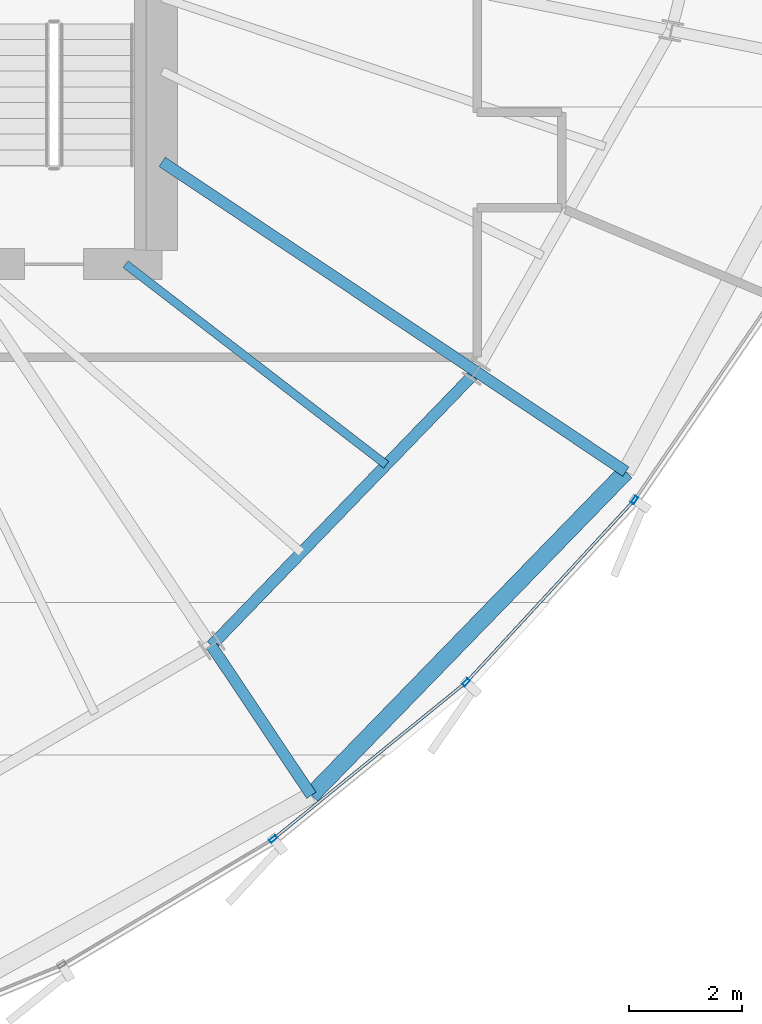
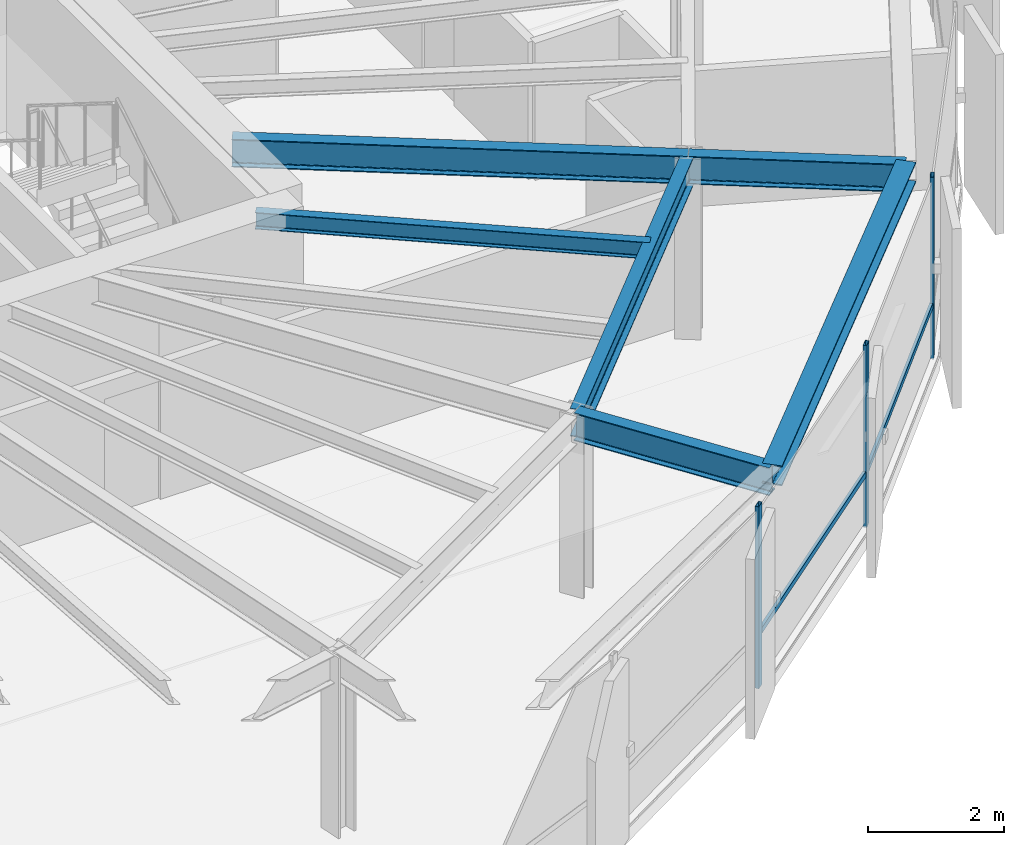
# One storey, part 12 of 34: 6 beams, 5 members, 1 element without a shape of its own.
"""IFC4 building model written with IfcOpenShell, lengths in metres."""

import ifcopenshell
import ifcopenshell.guid

model = None  # the IFC model being written
_history = None  # IfcOwnerHistory: only IFC2X3 demands one
_inside = {}  # id of a spatial element -> (the spatial element, [elements in it])
_under = {}  # id of a project, library or spatial element -> (it, [spatial elements below it])
_declared = {}  # id of a project -> (the project, [libraries it declares])
_typed = {}  # id of a type object -> (the type object, [elements of that type])
_made_of = {}  # id of a material, layer set ... -> (it, [elements and type objects made of it])


def new_model(schema):
    """Start an empty IFC model of exactly this schema.

    Asked for "IFC4X3", IfcOpenShell would pick the latest addendum, in which some entities
    have other attributes; the version numbers below select the first issue.
    IFC2X3 requires an IfcOwnerHistory on every rooted entity: one is made here for all.
    """
    global model, _history
    if schema == "IFC4X3":
        model = ifcopenshell.file(schema_version=(4, 3, 0, 0))
    else:
        model = ifcopenshell.file(schema=schema)
    _inside.clear()
    _under.clear()
    _declared.clear()
    _typed.clear()
    _made_of.clear()
    _history = None
    if model.schema == "IFC2X3":
        org = make("IfcOrganization", Name="unknown")
        user = make(
            "IfcPersonAndOrganization",
            ThePerson=make("IfcPerson", FamilyName="unknown"),
            TheOrganization=org,
        )
        app = make(
            "IfcApplication",
            ApplicationDeveloper=org,
            Version="unknown",
            ApplicationFullName="unknown",
            ApplicationIdentifier="unknown",
        )
        _history = make(
            "IfcOwnerHistory",
            OwningUser=user,
            OwningApplication=app,
            ChangeAction="ADDED",
            CreationDate=0,
        )
    return model


def make(cls, **values):
    """One entity of the class cls with the attributes given. An attribute that is None is left unset."""
    return model.create_entity(
        cls, **{name: value for name, value in values.items() if value is not None}
    )


def rooted(cls, **values):
    """An entity with a GlobalId (a new one), such as an element, a storey or a relation."""
    return make(cls, GlobalId=ifcopenshell.guid.new(), OwnerHistory=_history, **values)


def si_unit(unit_type, name, prefix=None):
    """IfcSIUnit, for example si_unit("LENGTHUNIT", "METRE", prefix="MILLI")."""
    return make("IfcSIUnit", UnitType=unit_type, Prefix=prefix, Name=name)


def assignment(units):
    """IfcUnitAssignment: the units of a project."""
    return None if units is None else make("IfcUnitAssignment", Units=units)


def point(xyz):
    """IfcCartesianPoint."""
    return None if xyz is None else make("IfcCartesianPoint", Coordinates=xyz)


def direction(xyz):
    """IfcDirection."""
    return None if xyz is None else make("IfcDirection", DirectionRatios=xyz)


def frame(location, z_axis=None, x_axis=None):
    """IfcAxis2Placement3D, a coordinate frame: its origin and axes. An axis left out is left unset."""
    return make(
        "IfcAxis2Placement3D",
        Location=point(location),
        Axis=direction(z_axis),
        RefDirection=direction(x_axis),
    )


def frame_2d(location, x_axis=None):
    """IfcAxis2Placement2D, a coordinate frame in the plane: its origin and x axis."""
    return make(
        "IfcAxis2Placement2D", Location=point(location), RefDirection=direction(x_axis)
    )


def origin():
    """The frame at (0, 0, 0) with its axes left unset."""
    return frame((0.0, 0.0, 0.0))


def origin_2d():
    """The frame at (0, 0) in the plane with its x axis left unset."""
    return frame_2d((0.0, 0.0))


def place(relative_to, where):
    """IfcLocalPlacement: puts the frame where relative to a parent placement (None: the world)."""
    return make(
        "IfcLocalPlacement", PlacementRelTo=relative_to, RelativePlacement=where
    )


def context(
    kind, dimensions, precision=None, world=None, true_north=None, identifier=None
):
    """IfcGeometricRepresentationContext, for example the 3D "Model" context."""
    return make(
        "IfcGeometricRepresentationContext",
        ContextIdentifier=identifier,
        ContextType=kind,
        CoordinateSpaceDimension=dimensions,
        Precision=precision,
        WorldCoordinateSystem=world,
        TrueNorth=true_north,
    )


def subcontext(parent, identifier, kind, view, scale=None):
    """IfcGeometricRepresentationSubContext, for example "Body" below "Model"."""
    return make(
        "IfcGeometricRepresentationSubContext",
        ContextIdentifier=identifier,
        ContextType=kind,
        ParentContext=parent,
        TargetScale=scale,
        TargetView=view,
    )


def project(units=None, contexts=None):
    """IfcProject with its units and contexts."""
    return rooted(
        "IfcProject",
        Name="project",
        RepresentationContexts=contexts,
        UnitsInContext=assignment(units),
    )


def spatial(cls, under=None, at=None, **own):
    """A site, building, storey or space (cls), placed at a placement, below another one or the project."""
    s = rooted(cls, ObjectPlacement=at, **own)
    if under is not None:
        _under.setdefault(under.id(), (under, []))[1].append(s)
    return s


def profile(cls, at=None, kind="AREA", **sizes):
    """A parametric profile (cls). Its sizes go by their IFC names, for example OverallWidth=200.0."""
    return make(cls, ProfileType=kind, Position=at, **sizes)


def hollow_rectangle(**sizes):
    """IfcRectangleHollowProfileDef."""
    return profile("IfcRectangleHollowProfileDef", **sizes)


def i_section(**sizes):
    """IfcIShapeProfileDef."""
    return profile("IfcIShapeProfileDef", **sizes)


def extrude(swept, where, along, depth):
    """IfcExtrudedAreaSolid: the profile swept, set in the frame where, extruded along a direction by depth."""
    return make(
        "IfcExtrudedAreaSolid",
        SweptArea=swept,
        Position=where,
        ExtrudedDirection=direction(along),
        Depth=depth,
    )


def shape(context_of_items, identifier, shape_type, items):
    """IfcShapeRepresentation: the items that make up one representation, for example the "Body"."""
    return make(
        "IfcShapeRepresentation",
        ContextOfItems=context_of_items,
        RepresentationIdentifier=identifier,
        RepresentationType=shape_type,
        Items=items,
    )


def source(mapping_origin, context_of_items, identifier, shape_type, items):
    """IfcRepresentationMap: a shape defined once, which mapped items show again and again."""
    return make(
        "IfcRepresentationMap",
        MappingOrigin=mapping_origin,
        MappedRepresentation=shape(context_of_items, identifier, shape_type, items),
    )


def transform(
    local_origin,
    x_axis=None,
    y_axis=None,
    z_axis=None,
    scale=None,
    scale2=None,
    scale3=None,
    uniform=True,
):
    """IfcCartesianTransformationOperator3D, or its non-uniform kind. x_axis, y_axis, z_axis: its Axis1, 2, 3."""
    if uniform:
        return make(
            "IfcCartesianTransformationOperator3D",
            Axis1=direction(x_axis),
            Axis2=direction(y_axis),
            LocalOrigin=point(local_origin),
            Scale=scale,
            Axis3=direction(z_axis),
        )
    return make(
        "IfcCartesianTransformationOperator3DnonUniform",
        Axis1=direction(x_axis),
        Axis2=direction(y_axis),
        LocalOrigin=point(local_origin),
        Scale=scale,
        Axis3=direction(z_axis),
        Scale2=scale2,
        Scale3=scale3,
    )


def mapped(mapping_source, mapping_target):
    """IfcMappedItem: shows the shape of a source again, moved by a transform."""
    return make(
        "IfcMappedItem", MappingSource=mapping_source, MappingTarget=mapping_target
    )


def material(Name=None, Category=None):
    """IfcMaterial."""
    return make("IfcMaterial", Name=Name, Category=Category)


def layer(
    of_material, thickness, ventilated=None, Name=None, Category=None, Priority=None
):
    """IfcMaterialLayer: one layer of a wall or slab, of a material (None: an air gap)."""
    return make(
        "IfcMaterialLayer",
        Material=of_material,
        LayerThickness=thickness,
        IsVentilated=ventilated,
        Name=Name,
        Category=Category,
        Priority=Priority,
    )


def layer_set(layers, Name=None):
    """IfcMaterialLayerSet."""
    return make("IfcMaterialLayerSet", MaterialLayers=layers, LayerSetName=Name)


def material_profile(
    of_material, cross_section, Name=None, Category=None, Priority=None
):
    """IfcMaterialProfile: a cross section and its material."""
    return make(
        "IfcMaterialProfile",
        Name=Name,
        Material=of_material,
        Profile=cross_section,
        Priority=Priority,
        Category=Category,
    )


def profile_set(profiles, Name=None, composite=None):
    """IfcMaterialProfileSet."""
    return make(
        "IfcMaterialProfileSet",
        Name=Name,
        MaterialProfiles=profiles,
        CompositeProfile=composite,
    )


def made_of(thing, what):
    """Note that an element or type object is made of a material, layer set ...; save() writes the relation."""
    if what is not None:
        _made_of.setdefault(what.id(), (what, []))[1].append(thing)
    return thing


def type_object(cls, material=None, **own):
    """A type object (cls), such as IfcWallType, which elements share."""
    return made_of(rooted(cls, **own), material)


def element(
    cls,
    number,
    at=None,
    inside=None,
    cuts=None,
    type_object=None,
    material=None,
    context=None,
    identifier="Body",
    shape_type=None,
    held_by="IfcProductDefinitionShape",
    body=None,
    shapes=None,
    **own,
):
    """One element of the class cls, such as IfcWall. Its Tag is "e" and its number.

    at: its placement. inside: the storey or other place that contains it. cuts: it is an
    opening in that element (IfcRelVoidsElement). A single representation is given by context,
    identifier, shape_type and body (its items); several are given by shapes. held_by: the class
    of the entity that holds the representations. save() writes the other relations.
    """
    e = rooted(cls, Tag="e%d" % number, ObjectPlacement=at, **own)
    if body is not None:
        shapes = [shape(context, identifier, shape_type, body)]
    if shapes is not None:
        e.Representation = make(held_by, Representations=shapes)
    if inside is not None:
        _inside.setdefault(inside.id(), (inside, []))[1].append(e)
    if cuts is not None:
        rooted(
            "IfcRelVoidsElement", RelatingBuildingElement=cuts, RelatedOpeningElement=e
        )
    if type_object is not None:
        _typed.setdefault(type_object.id(), (type_object, []))[1].append(e)
    return made_of(e, material)


def aggregate(whole, parts):
    """IfcRelAggregates: a whole, such as a stair, and the parts it consists of."""
    return rooted("IfcRelAggregates", RelatingObject=whole, RelatedObjects=parts)


def save(model, path):
    """Write the relations noted so far, then the file.

    IfcRelAggregates (storeys below a building ...), IfcRelContainedInSpatialStructure (elements
    in a storey), IfcRelDefinesByType, IfcRelAssociatesMaterial and IfcRelDeclares: one each for
    every whole, place, type object, material and project.
    """
    for whole, parts in _under.values():
        aggregate(whole, parts)
    for where, things in _inside.values():
        rooted(
            "IfcRelContainedInSpatialStructure",
            RelatedElements=things,
            RelatingStructure=where,
        )
    for kind, things in _typed.values():
        rooted("IfcRelDefinesByType", RelatedObjects=things, RelatingType=kind)
    for what, things in _made_of.values():
        rooted("IfcRelAssociatesMaterial", RelatedObjects=things, RelatingMaterial=what)
    for by, libraries in _declared.values():
        rooted("IfcRelDeclares", RelatingContext=by, RelatedDefinitions=libraries)
    model.write(path)


model = new_model("IFC4")

# Units and contexts
model_context = context("Model", 3, precision=1e-05, world=origin(), true_north=direction((0.0, 1.0)))
body_context = subcontext(model_context, "Body", "Model", "MODEL_VIEW")
ifc_project = project(units=[si_unit("LENGTHUNIT", "METRE"), si_unit("AREAUNIT", "SQUARE_METRE"), si_unit("VOLUMEUNIT", "CUBIC_METRE"), si_unit("PLANEANGLEUNIT", "RADIAN"), si_unit("MASSUNIT", "GRAM", prefix="KILO"), si_unit("THERMODYNAMICTEMPERATUREUNIT", "KELVIN")], contexts=[model_context])

# Site, building, storey
site_placement = place(None, origin())
site = spatial("IfcSite", under=ifc_project, at=site_placement, CompositionType="ELEMENT")
building_placement = place(site_placement, origin())
building = spatial("IfcBuilding", under=site, at=building_placement, Name="Kethvar Cultural Tower", CompositionType="ELEMENT")
storey_placement = place(building_placement, frame((0.0, 0.0, 207.89990234375)))
storey = spatial("IfcBuildingStorey", under=building, at=storey_placement, Name="L54", CompositionType="ELEMENT", Elevation=207.89990234375)

# Beams
ifc_material_1 = material(Name="Steel S355J2", Category="steel")
ifc_material_profile_1 = material_profile(ifc_material_1, i_section(OverallWidth=0.199951171875, OverallDepth=0.5, WebThickness=0.01025390625, FlangeThickness=0.01611328125, FilletRadius=0.02099609375, at=origin_2d()), Name="Steel S355J2 — IPE500")
ifc_profile_set_1 = profile_set([ifc_material_profile_1], Name="Steel S355J2 — IPE500")
beam_type_1 = type_object("IfcBeamType", Name="BM-IPE500", PredefinedType="BEAM", material=ifc_profile_set_1)
shared_shape_1 = source(origin(), body_context, "Body", "SweptSolid", [
    extrude(i_section(OverallWidth=0.199951171875, OverallDepth=0.5, WebThickness=0.01025390625, FlangeThickness=0.01611328125, FilletRadius=0.02099609375, at=origin_2d()), origin(), (0.0, 0.0, 1.0), 3.199951171875),
])
for number, where, z_axis, x_axis, name in (
    (1, (56.474609375, 13.32080078125, 3.008056640625), (0.555580212716, -0.831462943996, 0.0), (0.831462943996, 0.555580212716, 0.0), "L54 Perimeter Cantilever Beam RC-14"),
    (2, (61.1826171875, 18.18994140625, 3.008056640625), (0.831462943996, -0.555580212716, 0.0), (0.555580212716, 0.831462943996, 0.0), "L54 Perimeter Cantilever Beam RC-15"),
):
    element("IfcBeam", number, at=place(storey_placement, frame(where, z_axis=z_axis, x_axis=x_axis)), inside=storey, type_object=beam_type_1, Name=name, PredefinedType="BEAM", context=body_context, shape_type="MappedRepresentation", body=[
        mapped(shared_shape_1, transform((0.0, 0.0, 0.0), scale=1.0)),
    ])
shared_shape_2 = source(origin(), body_context, "Body", "SweptSolid", [
    extrude(i_section(OverallWidth=0.199951171875, OverallDepth=0.5, WebThickness=0.01025390625, FlangeThickness=0.01611328125, FilletRadius=0.02099609375, at=origin_2d()), origin(), (0.0, 0.0, 1.0), 6.7138671875),
])
beam_1_placement = place(storey_placement, frame((55.60009765625, 21.919921875, 3.008056640625), z_axis=(0.831479232731, -0.555555834762, 0.0), x_axis=(0.555555834762, 0.831479232731, 0.0)))
element("IfcBeam", 3, at=beam_1_placement, inside=storey, type_object=beam_type_1, Name="L54 Primary Radial Beam RB-15", PredefinedType="BEAM", context=body_context, shape_type="MappedRepresentation", body=[
    mapped(shared_shape_2, transform((0.0, 0.0, 0.0), scale=1.0)),
])
shared_shape_3 = source(origin(), body_context, "Body", "SweptSolid", [
    extrude(i_section(OverallWidth=0.199951171875, OverallDepth=0.5, WebThickness=0.01025390625, FlangeThickness=0.01611328125, FilletRadius=0.02099609375, at=origin_2d()), origin(), (0.0, 0.0, 1.0), 6.77294921875),
])
beam_2_placement = place(storey_placement, frame((56.474609375, 13.32080078125, 3.008056640625), z_axis=(0.695111533644, 0.718901909717, 0.0), x_axis=(-0.718901909717, 0.695111533644, 0.0)))
element("IfcBeam", 4, at=beam_2_placement, inside=storey, type_object=beam_type_1, Name="L54 Column Ring Tie Beam CR-14", PredefinedType="BEAM", context=body_context, shape_type="MappedRepresentation", body=[
    mapped(shared_shape_3, transform((0.0, 0.0, 0.0), scale=1.0)),
])
ifc_material_profile_2 = material_profile(ifc_material_1, i_section(OverallWidth=0.300048828125, OverallDepth=0.360107421875, WebThickness=0.012451171875, FlangeThickness=0.0224609375, FilletRadius=0.027099609375, at=origin_2d()), Name="Steel S355J2 — HEB360")
ifc_profile_set_2 = profile_set([ifc_material_profile_2], Name="Steel S355J2 — HEB360")
beam_type_2 = type_object("IfcBeamType", Name="BM-SP360", PredefinedType="SPANDREL", material=ifc_profile_set_2)
shared_shape_4 = source(origin(), body_context, "Body", "SweptSolid", [
    extrude(i_section(OverallWidth=0.300048828125, OverallDepth=0.360107421875, WebThickness=0.012451171875, FlangeThickness=0.0224609375, FilletRadius=0.027099609375, at=origin_2d()), origin(), (0.0, 0.0, 1.0), 8.021240234375),
])
beam_3_placement = place(storey_placement, frame((58.25244140625, 10.66015625, 3.078125), z_axis=(0.696991461782, 0.71707942531, 0.0), x_axis=(-0.71707942531, 0.696991461782, 0.0)))
element("IfcBeam", 5, at=beam_3_placement, inside=storey, type_object=beam_type_2, Name="L54 Perimeter Spandrel Beam SP-14", PredefinedType="SPANDREL", context=body_context, shape_type="MappedRepresentation", body=[
    mapped(shared_shape_4, transform((0.0, 0.0, 0.0), scale=1.0)),
])
ifc_material_profile_3 = material_profile(ifc_material_1, i_section(OverallWidth=0.14990234375, OverallDepth=0.300048828125, WebThickness=0.007080078125, FlangeThickness=0.0107421875, FilletRadius=0.014892578125, at=origin_2d()), Name="Steel S355J2 — IPE300")
ifc_profile_set_3 = profile_set([ifc_material_profile_3], Name="Steel S355J2 — IPE300")
beam_type_3 = type_object("IfcBeamType", Name="BM-J300", PredefinedType="JOIST", material=ifc_profile_set_3)
shared_shape_5 = source(origin(), body_context, "Body", "SweptSolid", [
    extrude(i_section(OverallWidth=0.14990234375, OverallDepth=0.300048828125, WebThickness=0.007080078125, FlangeThickness=0.0107421875, FilletRadius=0.014892578125, at=origin_2d()), origin(), (0.0, 0.0, 1.0), 5.84521484375),
])
beam_4_placement = place(storey_placement, frame((54.949951171875, 20.10009765625, 3.108154296875), z_axis=(0.792398798307, -0.610003397073, 0.0), x_axis=(0.610003397073, 0.792398798307, 0.0)))
element("IfcBeam", 6, at=beam_4_placement, inside=storey, type_object=beam_type_3, Name="L54 Composite Floor Joist J-14B", PredefinedType="JOIST", context=body_context, shape_type="MappedRepresentation", body=[
    mapped(shared_shape_5, transform((0.0, 0.0, 0.0), scale=1.0)),
])

# Curtain wall, members
ifc_material_2 = material(Name="Aluminium 6063-T6", Category="aluminium")
ifc_layer = layer(ifc_material_2, 0.179931640625, Name="Aluminium 6063-T6", Category="aluminium")
ifc_layer_set = layer_set([ifc_layer], Name="Aluminium 6063-T6 (180 mm)")
curtain_wall_type = type_object("IfcCurtainWallType", Name="CW-SYS-04-Z34", PredefinedType="NOTDEFINED", material=ifc_layer_set)
curtain_wall_placement = place(storey_placement, origin())
curtain_wall = element("IfcCurtainWall", 7, at=curtain_wall_placement, inside=storey, type_object=curtain_wall_type, Name="L54 Curtain Wall Run 05", PredefinedType="NOTDEFINED")
ifc_material_profile_4 = material_profile(ifc_material_2, hollow_rectangle(XDim=0.06005859375, YDim=0.139892578125, WallThickness=0.0048828125, at=origin_2d()), Name="Aluminium 6063-T6 — RHS140x60x5")
ifc_profile_set_4 = profile_set([ifc_material_profile_4], Name="Aluminium 6063-T6 — RHS140x60x5")
member_type_1 = type_object("IfcMemberType", Name="CW-SYS-04-Z34-MUL", PredefinedType="MULLION", material=ifc_profile_set_4)
shared_shape_6 = source(origin(), body_context, "Body", "SweptSolid", [
    extrude(hollow_rectangle(XDim=0.06005859375, YDim=0.139892578125, WallThickness=0.0048828125, at=origin_2d()), origin(), (0.0, 0.0, 1.0), 3.260009765625),
])
member_1_placement = place(storey_placement, frame((57.57421875, 9.882080078125, 0.0), z_axis=(0.0, 0.0, 1.0), x_axis=(-0.630635172872, 0.776079428111, 0.0)))
member_1 = element("IfcMember", 8, at=member_1_placement, type_object=member_type_1, Name="CW-L54-R05 Mullion 3", PredefinedType="MULLION", context=body_context, shape_type="MappedRepresentation", body=[
    mapped(shared_shape_6, transform((0.0, 0.0, 0.0), scale=1.0)),
])
member_2_placement = place(storey_placement, frame((61.00146484375, 12.66552734375, 0.0), z_axis=(0.0, 0.0, 1.0), x_axis=(-0.7349501025, 0.6781211889, 0.0)))
member_2 = element("IfcMember", 9, at=member_2_placement, type_object=member_type_1, Name="CW-L54-R05 Mullion 4", PredefinedType="MULLION", context=body_context, shape_type="MappedRepresentation", body=[
    mapped(shared_shape_6, transform((0.0, 0.0, 0.0), scale=1.0)),
])
member_3_placement = place(storey_placement, frame((63.99609375, 15.90966796875, 0.0), z_axis=(0.0, 0.0, 1.0), x_axis=(-0.82499515377, 0.5651398024, 0.0)))
member_3 = element("IfcMember", 10, at=member_3_placement, type_object=member_type_1, Name="CW-L54-R05 Mullion 5", PredefinedType="MULLION", context=body_context, shape_type="MappedRepresentation", body=[
    mapped(shared_shape_6, transform((0.0, 0.0, 0.0), scale=1.0)),
])
ifc_material_profile_5 = material_profile(ifc_material_2, hollow_rectangle(XDim=0.050048828125, YDim=0.10009765625, WallThickness=0.00390625, at=origin_2d()), Name="Aluminium 6063-T6 — RHS100x50x4")
ifc_profile_set_5 = profile_set([ifc_material_profile_5], Name="Aluminium 6063-T6 — RHS100x50x4")
member_type_2 = type_object("IfcMemberType", Name="CW-SYS-04-Z34-TRN", PredefinedType="USERDEFINED", material=ifc_profile_set_5)
shared_shape_7 = source(origin(), body_context, "Body", "SweptSolid", [
    extrude(hollow_rectangle(XDim=0.050048828125, YDim=0.10009765625, WallThickness=0.00390625, at=origin_2d()), origin(), (0.0, 0.0, 1.0), 4.344482421875),
])
member_4_placement = place(storey_placement, frame((61.03076171875, 12.697265625, 0.9501953125), z_axis=(0.678128374515, 0.734943472437, 0.0), x_axis=(-0.734943472437, 0.678128374515, 0.0)))
member_4 = element("IfcMember", 11, at=member_4_placement, type_object=member_type_2, Name="CW-L54-R05 Transom 4", ObjectType="TRANSOM", PredefinedType="USERDEFINED", context=body_context, shape_type="MappedRepresentation", body=[
    mapped(shared_shape_7, transform((0.0, 0.0, 0.0), scale=1.0)),
])
shared_shape_8 = source(origin(), body_context, "Body", "SweptSolid", [
    extrude(hollow_rectangle(XDim=0.050048828125, YDim=0.10009765625, WallThickness=0.00390625, at=origin_2d()), origin(), (0.0, 0.0, 1.0), 4.34423828125),
])
member_5_placement = place(storey_placement, frame((57.60791015625, 9.909423828125, 0.9501953125), z_axis=(0.776053830453, 0.630666672847, 0.0), x_axis=(-0.630666672847, 0.776053830453, 0.0)))
member_5 = element("IfcMember", 12, at=member_5_placement, type_object=member_type_2, Name="CW-L54-R05 Transom 3", ObjectType="TRANSOM", PredefinedType="USERDEFINED", context=body_context, shape_type="MappedRepresentation", body=[
    mapped(shared_shape_8, transform((0.0, 0.0, 0.0), scale=1.0)),
])
aggregate(curtain_wall, [member_1, member_2, member_3, member_5, member_4])

save(model, "model.ifc")
